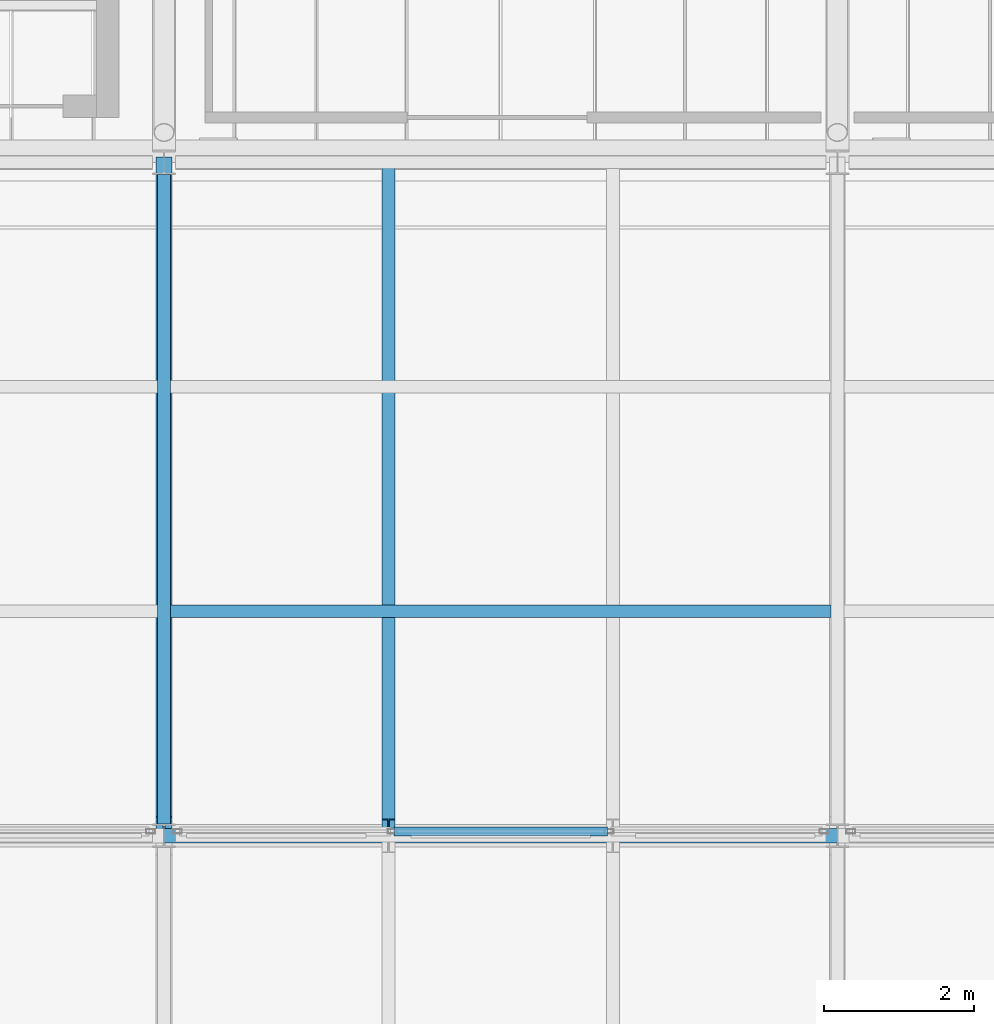
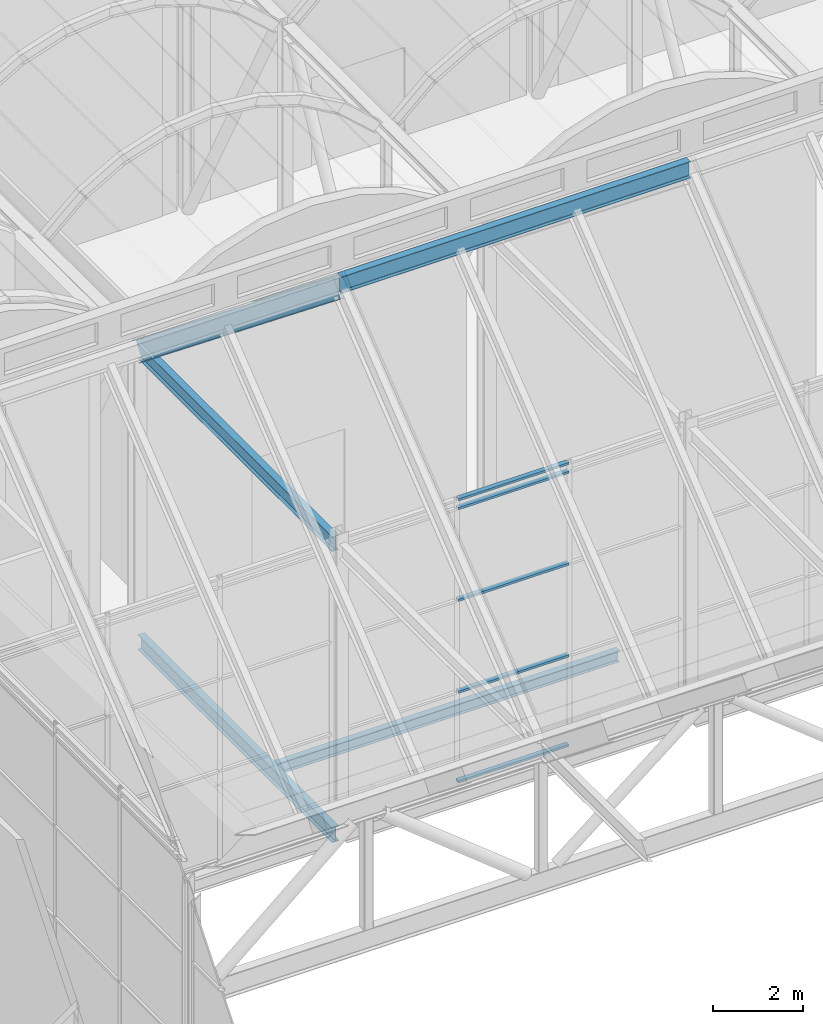
# One storey, part 48 of 144: 7 members, 4 beams, 1 element without a shape of its own.
"""IFC4 building model written with IfcOpenShell, lengths in metres."""

from ifc_helpers import new_model, si_unit, direction, frame, origin, origin_2d, place, context, subcontext, project, spatial, hollow_rectangle, i_section, extrude, material, layer, layer_set, material_profile, profile_set, type_object, element, aggregate, save


model = new_model("IFC4")

# Units and contexts
model_context = context("Model", 3, precision=1e-05, world=origin(), true_north=direction((0.0, 1.0)))
body_context = subcontext(model_context, "Body", "Model", "MODEL_VIEW")
ifc_project = project(units=[si_unit("LENGTHUNIT", "METRE"), si_unit("AREAUNIT", "SQUARE_METRE"), si_unit("VOLUMEUNIT", "CUBIC_METRE"), si_unit("PLANEANGLEUNIT", "RADIAN"), si_unit("MASSUNIT", "GRAM", prefix="KILO")], contexts=[model_context])

# Site, building, storey
site_placement = place(None, origin())
site = spatial("IfcSite", under=ifc_project, at=site_placement, CompositionType="ELEMENT")
building_placement = place(site_placement, origin())
building = spatial("IfcBuilding", under=site, at=building_placement, Name="Shorebreak Coast Museum", CompositionType="ELEMENT")
storey_placement = place(building_placement, frame((0.0, 0.0, 36.0)))
storey = spatial("IfcBuildingStorey", under=building, at=storey_placement, Name="L06", CompositionType="ELEMENT", Elevation=36.0)

# Beams
ifc_material_1 = material(Name="Steel Grade 300", Category="steel")
ifc_material_profile_1 = material_profile(ifc_material_1, i_section(OverallWidth=0.177978515625, OverallDepth=0.406494140625, WebThickness=0.0078125, FlangeThickness=0.0126953125, FilletRadius=0.011474609375, at=origin_2d()), Name="410UB59.7")
ifc_profile_set_1 = profile_set([ifc_material_profile_1], Name="Steel Grade 300")
beam_type_1 = type_object("IfcBeamType", Name="Floor girder north-south 410UB59.7", PredefinedType="BEAM", material=ifc_profile_set_1)
beam_1_placement = place(storey_placement, frame((72.0, 81.1572265625, -0.378173828125), z_axis=(0.0, 1.0, 0.0), x_axis=(-1.0, 0.0, 0.0)))
element("IfcBeam", 1, at=beam_1_placement, inside=storey, type_object=beam_type_1, Name="Floor girder north-south L06 9K", PredefinedType="BEAM", context=body_context, shape_type="SweptSolid", body=[
    extrude(i_section(OverallWidth=0.177978515625, OverallDepth=0.406494140625, WebThickness=0.0078125, FlangeThickness=0.0126953125, FilletRadius=0.011474609375, at=origin_2d()), origin(), (0.0, 0.0, 1.0), 8.67919921875),
])
ifc_material_2 = material(Name="Steel Grade 300", Category="steel")
ifc_material_profile_2 = material_profile(ifc_material_2, i_section(OverallWidth=0.1650390625, OverallDepth=0.303955078125, WebThickness=0.006103515625, FlangeThickness=0.01025390625, FilletRadius=0.011474609375, at=origin_2d()), Name="310UB40.4")
ifc_profile_set_2 = profile_set([ifc_material_profile_2], Name="Steel Grade 300")
beam_type_2 = type_object("IfcBeamType", Name="Floor joist 310UB40.4", PredefinedType="JOIST", material=ifc_profile_set_2)
beam_2_placement = place(storey_placement, frame((72.089111328125, 84.0, -0.326904296875), z_axis=(1.0, 0.0, 0.0), x_axis=(0.0, 1.0, 0.0)))
element("IfcBeam", 2, at=beam_2_placement, inside=storey, type_object=beam_type_2, Name="Floor joist L06 bay 9K at 3000 mm", PredefinedType="JOIST", context=body_context, shape_type="SweptSolid", body=[
    extrude(i_section(OverallWidth=0.1650390625, OverallDepth=0.303955078125, WebThickness=0.006103515625, FlangeThickness=0.01025390625, FilletRadius=0.011474609375, at=origin_2d()), origin(), (0.0, 0.0, 1.0), 8.82177734375),
])

# Members
ifc_material_3 = material(Name="Steel Grade 300", Category="steel")
ifc_material_profile_3 = material_profile(ifc_material_3, i_section(OverallWidth=0.177978515625, OverallDepth=0.402587890625, WebThickness=0.007568359375, FlangeThickness=0.010986328125, FilletRadius=0.011474609375, at=origin_2d()), Name="410UB53.7")
ifc_profile_set_3 = profile_set([ifc_material_profile_3], Name="Steel Grade 300")
member_type_1 = type_object("IfcMemberType", Name="Fold rafter 410UB53.7", PredefinedType="RAFTER", material=ifc_profile_set_3)
member_1_placement = place(storey_placement, frame((75.0, 81.094970703125, 14.610107421875), z_axis=(0.0, 0.780866698312, -0.624697686459), x_axis=(-1.0, 0.0, 0.0)))
element("IfcMember", 3, at=member_1_placement, inside=storey, type_object=member_type_1, Name="Fold rafter FOLD-X line 4 08", PredefinedType="RAFTER", context=body_context, shape_type="SweptSolid", body=[
    extrude(i_section(OverallWidth=0.177978515625, OverallDepth=0.402587890625, WebThickness=0.007568359375, FlangeThickness=0.010986328125, FilletRadius=0.011474609375, at=origin_2d()), origin(), (0.0, 0.0, 1.0), 11.282470703125),
])
ifc_material_4 = material(Name="Steel Grade 300", Category="steel")
ifc_material_profile_4 = material_profile(ifc_material_4, i_section(OverallWidth=0.208984375, OverallDepth=0.5283203125, WebThickness=0.009521484375, FlangeThickness=0.01318359375, FilletRadius=0.013916015625, at=origin_2d()), Name="530UB82.0")
ifc_profile_set_4 = profile_set([ifc_material_profile_4], Name="Steel Grade 300")
member_type_2 = type_object("IfcMemberType", Name="Fold rib rafter 530UB82.0", PredefinedType="RAFTER", material=ifc_profile_set_4)
member_2_placement = place(storey_placement, frame((72.0, 81.094970703125, 14.52978515625), z_axis=(0.0, 0.780866698312, -0.624697686459), x_axis=(-1.0, 0.0, 0.0)))
element("IfcMember", 4, at=member_2_placement, inside=storey, type_object=member_type_2, Name="Fold rib rafter FOLD-X line 4 07", PredefinedType="RAFTER", context=body_context, shape_type="SweptSolid", body=[
    extrude(i_section(OverallWidth=0.208984375, OverallDepth=0.5283203125, WebThickness=0.009521484375, FlangeThickness=0.01318359375, FilletRadius=0.013916015625, at=origin_2d()), origin(), (0.0, 0.0, 1.0), 11.282470703125),
])

# Beams
ifc_material_5 = material(Name="Steel Grade 300", Category="steel")
ifc_material_profile_5 = material_profile(ifc_material_5, i_section(OverallWidth=0.177978515625, OverallDepth=0.402587890625, WebThickness=0.007568359375, FlangeThickness=0.010986328125, FilletRadius=0.011474609375, at=origin_2d()), Name="410UB53.7")
ifc_profile_set_5 = profile_set([ifc_material_profile_5], Name="Steel Grade 300")
beam_type_3 = type_object("IfcBeamType", Name="Fold rib tie 410UB53.7", PredefinedType="BEAM", material=ifc_profile_set_5)
beam_3_placement = place(storey_placement, frame((72.0, 81.1572265625, 7.54248046875), z_axis=(0.0, 1.0, 0.0), x_axis=(-1.0, 0.0, 0.0)))
element("IfcBeam", 5, at=beam_3_placement, inside=storey, type_object=beam_type_3, Name="Fold rib tie FOLD-X rib 9 K-L", PredefinedType="BEAM", context=body_context, shape_type="SweptSolid", body=[
    extrude(i_section(OverallWidth=0.177978515625, OverallDepth=0.402587890625, WebThickness=0.007568359375, FlangeThickness=0.010986328125, FilletRadius=0.011474609375, at=origin_2d()), origin(), (0.0, 0.0, 1.0), 8.67919921875),
])
ifc_material_6 = material(Name="Steel Grade 300", Category="steel")
ifc_material_profile_6 = material_profile(ifc_material_6, i_section(OverallWidth=0.18994140625, OverallDepth=0.453857421875, WebThickness=0.008544921875, FlangeThickness=0.0126953125, FilletRadius=0.011474609375, at=origin_2d()), Name="460UB67.1")
ifc_profile_set_6 = profile_set([ifc_material_profile_6], Name="Steel Grade 300")
beam_type_4 = type_object("IfcBeamType", Name="Fold ridge beam 460UB67.1", PredefinedType="BEAM", material=ifc_profile_set_6)
beam_4_placement = place(storey_placement, frame((72.0, 81.0, 14.717041015625), z_axis=(1.0, 0.0, 0.0), x_axis=(0.0, 1.0, 0.0)))
element("IfcBeam", 6, at=beam_4_placement, inside=storey, type_object=beam_type_4, Name="Fold ridge beam FOLD-X line K bay 9K", PredefinedType="BEAM", context=body_context, shape_type="SweptSolid", body=[
    extrude(i_section(OverallWidth=0.18994140625, OverallDepth=0.453857421875, WebThickness=0.008544921875, FlangeThickness=0.0126953125, FilletRadius=0.011474609375, at=origin_2d()), origin(), (0.0, 0.0, 1.0), 9.0),
])

# Curtain wall, members
ifc_material_7 = material(Name="Aluminium", Category="aluminium")
ifc_layer = layer(ifc_material_7, 0.1201171875)
ifc_layer_set = layer_set([ifc_layer], Name="Aluminium")
curtain_wall_type = type_object("IfcCurtainWallType", Name="Atrium fire screen", PredefinedType="NOTDEFINED", material=ifc_layer_set)
curtain_wall_placement = place(storey_placement, origin())
curtain_wall = element("IfcCurtainWall", 7, at=curtain_wall_placement, inside=storey, type_object=curtain_wall_type, Name="Atrium screen L06 N 85", PredefinedType="NOTDEFINED")
ifc_material_8 = material(Name="Aluminium", Category="aluminium")
ifc_material_profile_7 = material_profile(ifc_material_8, hollow_rectangle(XDim=0.1201171875, YDim=0.06005859375, WallThickness=0.00341796875, at=origin_2d()), Name="AL 60x120 RHS")
ifc_profile_set_7 = profile_set([ifc_material_profile_7], Name="Aluminium")
member_type_3 = type_object("IfcMemberType", Name="Screen transom 120 x 50", PredefinedType="USERDEFINED", material=ifc_profile_set_7)
member_3_placement = place(storey_placement, frame((75.076171875, 81.06005859375, 0.06005859375), z_axis=(1.0, 0.0, 0.0), x_axis=(0.0, 1.0, 0.0)))
member_3 = element("IfcMember", 8, at=member_3_placement, type_object=member_type_3, Name="CW5 transom 2.1", ObjectType="TRANSOM", PredefinedType="USERDEFINED", context=body_context, shape_type="SweptSolid", body=[
    extrude(hollow_rectangle(XDim=0.1201171875, YDim=0.06005859375, WallThickness=0.00341796875, at=origin_2d()), origin(), (0.0, 0.0, 1.0), 2.84765625),
])
member_4_placement = place(storey_placement, frame((75.076171875, 81.06005859375, 2.5), z_axis=(1.0, 0.0, 0.0), x_axis=(0.0, 1.0, 0.0)))
member_4 = element("IfcMember", 9, at=member_4_placement, type_object=member_type_3, Name="CW5 transom 2.2", ObjectType="TRANSOM", PredefinedType="USERDEFINED", context=body_context, shape_type="SweptSolid", body=[
    extrude(hollow_rectangle(XDim=0.1201171875, YDim=0.06005859375, WallThickness=0.00341796875, at=origin_2d()), origin(), (0.0, 0.0, 1.0), 2.84765625),
])
member_5_placement = place(storey_placement, frame((75.076171875, 81.06005859375, 5.0), z_axis=(1.0, 0.0, 0.0), x_axis=(0.0, 1.0, 0.0)))
member_5 = element("IfcMember", 10, at=member_5_placement, type_object=member_type_3, Name="CW5 transom 2.3", ObjectType="TRANSOM", PredefinedType="USERDEFINED", context=body_context, shape_type="SweptSolid", body=[
    extrude(hollow_rectangle(XDim=0.1201171875, YDim=0.06005859375, WallThickness=0.00341796875, at=origin_2d()), origin(), (0.0, 0.0, 1.0), 2.84765625),
])
member_6_placement = place(storey_placement, frame((75.076171875, 81.06005859375, 7.5), z_axis=(1.0, 0.0, 0.0), x_axis=(0.0, 1.0, 0.0)))
member_6 = element("IfcMember", 11, at=member_6_placement, type_object=member_type_3, Name="CW5 transom 2.4", ObjectType="TRANSOM", PredefinedType="USERDEFINED", context=body_context, shape_type="SweptSolid", body=[
    extrude(hollow_rectangle(XDim=0.1201171875, YDim=0.06005859375, WallThickness=0.00341796875, at=origin_2d()), origin(), (0.0, 0.0, 1.0), 2.84765625),
])
member_7_placement = place(storey_placement, frame((75.076171875, 81.06005859375, 7.739990234375), z_axis=(1.0, 0.0, 0.0), x_axis=(0.0, 1.0, 0.0)))
member_7 = element("IfcMember", 12, at=member_7_placement, type_object=member_type_3, Name="CW5 transom 2.5", ObjectType="TRANSOM", PredefinedType="USERDEFINED", context=body_context, shape_type="SweptSolid", body=[
    extrude(hollow_rectangle(XDim=0.1201171875, YDim=0.06005859375, WallThickness=0.00341796875, at=origin_2d()), origin(), (0.0, 0.0, 1.0), 2.84765625),
])
aggregate(curtain_wall, [member_3, member_4, member_5, member_6, member_7])

save(model, "model.ifc")
